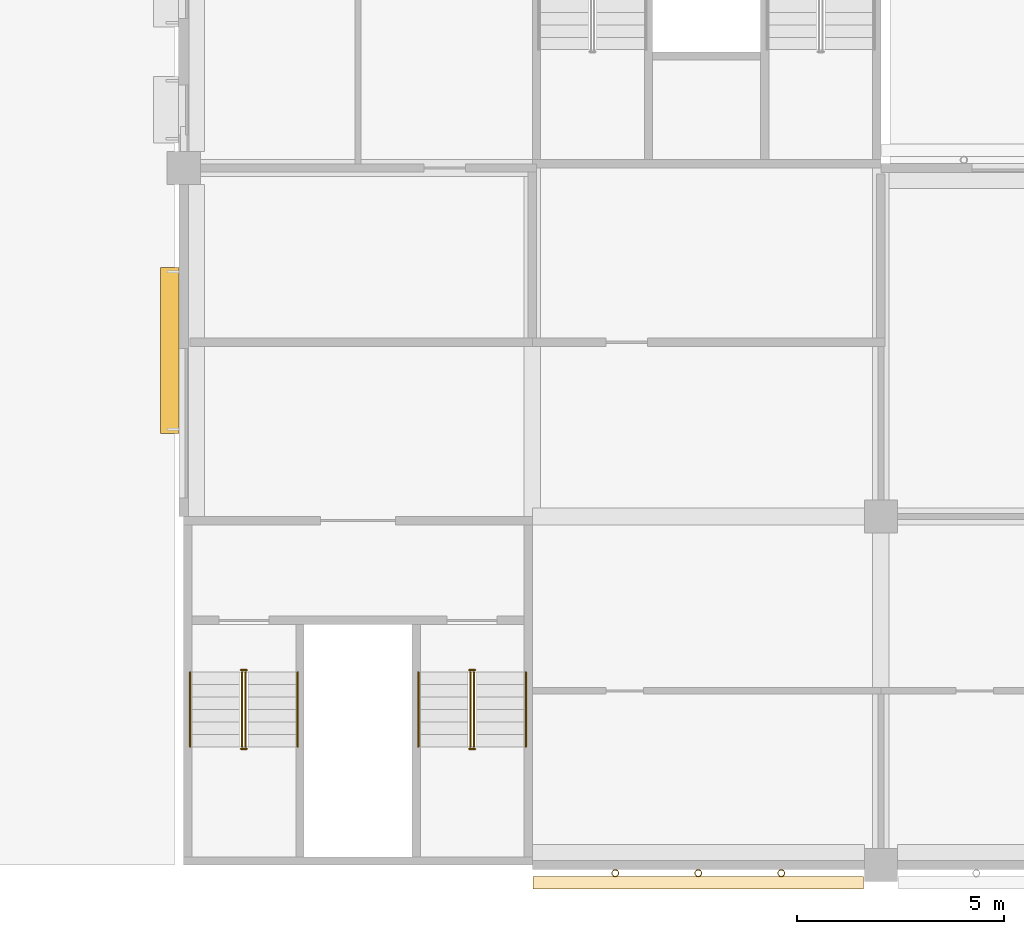
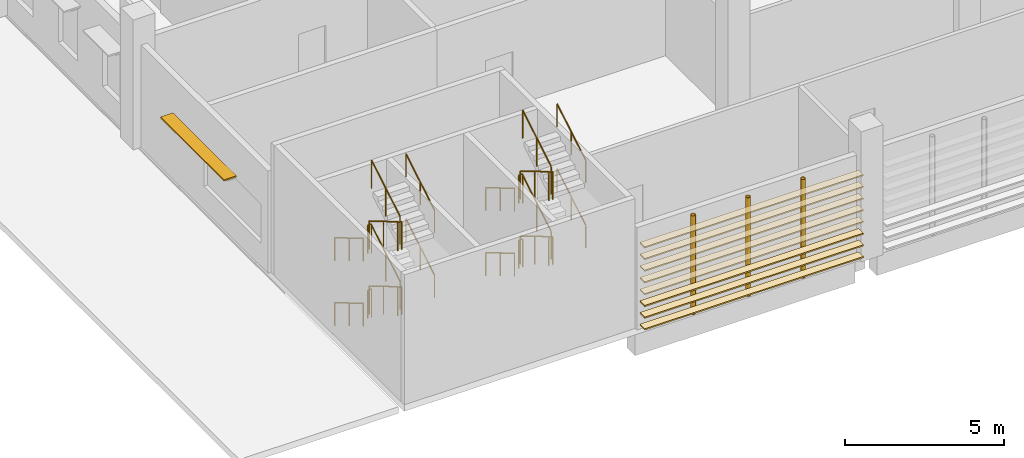
# One storey, part 59 of 101: 24 railings, 8 coverings, 4 shading devices.
"""IFC4 building model written with IfcOpenShell, lengths in metres."""

from ifc_helpers import new_model, si_unit, direction, frame, origin, origin_2d, place, context, subcontext, project, spatial, rectangle, circle, hollow_circle, extrude, material, material_profile, profile_set, type_object, element, save


model = new_model("IFC4")

# Units and contexts
model_context = context("Model", 3, precision=1e-05, world=origin(), true_north=direction((0.0, 1.0)))
body_context = subcontext(model_context, "Body", "Model", "MODEL_VIEW")
ifc_project = project(units=[si_unit("LENGTHUNIT", "METRE"), si_unit("AREAUNIT", "SQUARE_METRE"), si_unit("VOLUMEUNIT", "CUBIC_METRE"), si_unit("PLANEANGLEUNIT", "RADIAN"), si_unit("MASSUNIT", "GRAM", prefix="KILO")], contexts=[model_context])

# Site, building, storey
site_placement = place(None, origin())
site = spatial("IfcSite", under=ifc_project, at=site_placement, CompositionType="ELEMENT")
building_placement = place(site_placement, origin())
building = spatial("IfcBuilding", under=site, at=building_placement, Name="Almond Square Museum", CompositionType="ELEMENT")
storey_placement = place(building_placement, frame((0.0, 0.0, 5.5)))
storey = spatial("IfcBuildingStorey", under=building, at=storey_placement, Name="L01", CompositionType="ELEMENT", Elevation=5.5)

# Shading devices
ifc_material_1 = material(Name="Structural steel S355", Category="steel")
ifc_material_profile_1 = material_profile(ifc_material_1, hollow_circle(Radius=0.084228515625, WallThickness=0.008056640625, at=origin_2d()))
ifc_profile_set_1 = profile_set([ifc_material_profile_1], Name="Structural steel S355")
shading_device_type_1 = type_object("IfcShadingDeviceType", Name="Louvre post CHS 168.3 x 8", PredefinedType="USERDEFINED", material=ifc_profile_set_1)
for number, where, z_axis, x_axis, name in (
    (1, (16.39990234375, -0.194091796875, 0.0), (0.0, 0.0, 1.0), (1.0, 0.0, 0.0), "Louvre screen post"),
    (2, (18.39990234375, -0.194091796875, 0.0), (0.0, 0.0, 1.0), (1.0, 0.0, 0.0), "Louvre screen post"),
    (3, (20.39990234375, -0.194091796875, 0.0), (0.0, 0.0, 1.0), (1.0, 0.0, 0.0), "Louvre screen post"),
):
    element("IfcShadingDevice", number, at=place(storey_placement, frame(where, z_axis=z_axis, x_axis=x_axis)), inside=storey, type_object=shading_device_type_1, Name=name, ObjectType="POST", PredefinedType="USERDEFINED", context=body_context, shape_type="SweptSolid", body=[
        extrude(hollow_circle(Radius=0.084228515625, WallThickness=0.008056640625, at=origin_2d()), origin(), (0.0, 0.0, 1.0), 3.800048828125),
    ])

# Coverings
ifc_material_2 = material(Name="Cedar timber louvre board", Category="wood")
ifc_material_profile_2 = material_profile(ifc_material_2, rectangle(XDim=0.300048828125, YDim=0.050048828125, at=origin_2d()))
ifc_profile_set_2 = profile_set([ifc_material_profile_2], Name="Cedar timber louvre board")
covering_type = type_object("IfcCoveringType", Name="Louvre screen board 300 x 50", PredefinedType="CLADDING", material=ifc_profile_set_2)
for number, where, z_axis, x_axis, name in (
    (4, (14.419921875, -0.42431640625, 0.300048828125), (1.0, 0.0, 0.0), (0.0, 1.0, 0.0), "Louvre screen board"),
    (5, (14.419921875, -0.42431640625, 0.75), (1.0, 0.0, 0.0), (0.0, 1.0, 0.0), "Louvre screen board"),
    (6, (14.419921875, -0.42431640625, 1.199951171875), (1.0, 0.0, 0.0), (0.0, 1.0, 0.0), "Louvre screen board"),
    (7, (14.419921875, -0.42431640625, 1.64990234375), (1.0, 0.0, 0.0), (0.0, 1.0, 0.0), "Louvre screen board"),
    (8, (14.419921875, -0.42431640625, 2.10009765625), (1.0, 0.0, 0.0), (0.0, 1.0, 0.0), "Louvre screen board"),
    (9, (14.419921875, -0.42431640625, 2.550048828125), (1.0, 0.0, 0.0), (0.0, 1.0, 0.0), "Louvre screen board"),
    (10, (14.419921875, -0.42431640625, 3.0), (1.0, 0.0, 0.0), (0.0, 1.0, 0.0), "Louvre screen board"),
    (11, (14.419921875, -0.42431640625, 3.449951171875), (1.0, 0.0, 0.0), (0.0, 1.0, 0.0), "Louvre screen board"),
):
    element("IfcCovering", number, at=place(storey_placement, frame(where, z_axis=z_axis, x_axis=x_axis)), inside=storey, type_object=covering_type, Name=name, PredefinedType="CLADDING", context=body_context, shape_type="SweptSolid", body=[
        extrude(rectangle(XDim=0.300048828125, YDim=0.050048828125, at=origin_2d()), origin(), (0.0, 0.0, 1.0), 7.9599609375),
    ])

# Railings
ifc_material_3 = material(Name="Stainless steel and laminated glass", Category="steel")
railing_type_1 = type_object("IfcRailingType", Name="Stair guard 1100 steel and glass", PredefinedType="GUARDRAIL", material=ifc_material_3)
railing_1_placement = place(storey_placement, frame((7.409912109375, 4.64990234375, 0.178466796875)))
element("IfcRailing", 12, at=railing_1_placement, inside=storey, type_object=railing_type_1, Name="L01 ST-27 stair guard 1", PredefinedType="GUARDRAIL", context=body_context, shape_type="SweptSolid", body=[
    extrude(circle(Radius=0.02392578125, at=origin_2d()), frame((0.0, 0.0, 1.076171875), z_axis=(0.0, -0.85924653193, 0.511561723907), x_axis=(1.0, 0.0, 0.0)), (0.0, 0.0, 1.0), 2.0947265625),
    extrude(circle(Radius=0.02099609375, at=origin_2d()), origin(), (0.0, 0.0, 1.0), 1.052001953125),
    extrude(circle(Radius=0.02099609375, at=origin_2d()), frame((0.0, -0.89990234375, 0.53564453125)), (0.0, 0.0, 1.0), 1.052001953125),
    extrude(circle(Radius=0.02099609375, at=origin_2d()), frame((0.0, -1.7998046875, 1.071533203125)), (0.0, 0.0, 1.0), 1.052001953125),
])
railing_2_placement = place(storey_placement, frame((7.3798828125, 2.800048828125, 1.25)))
element("IfcRailing", 13, at=railing_2_placement, inside=storey, type_object=railing_type_1, Name="L01 ST-27 stair guard 2", PredefinedType="GUARDRAIL", context=body_context, shape_type="SweptSolid", body=[
    extrude(circle(Radius=0.02392578125, at=origin_2d()), frame((0.0, 0.0, 1.076171875), z_axis=(1.0, 0.0, 0.0), x_axis=(0.0, 1.0, 0.0)), (0.0, 0.0, 1.0), 0.14013671875),
    extrude(circle(Radius=0.02099609375, at=origin_2d()), origin(), (0.0, 0.0, 1.0), 1.052001953125),
    extrude(circle(Radius=0.02099609375, at=origin_2d()), frame((0.14013671875, 0.0, 0.0)), (0.0, 0.0, 1.0), 1.052001953125),
])
railing_3_placement = place(storey_placement, frame((7.489990234375, 2.85009765625, 1.428466796875)))
element("IfcRailing", 14, at=railing_3_placement, inside=storey, type_object=railing_type_1, Name="L01 ST-27 stair guard 3", PredefinedType="GUARDRAIL", context=body_context, shape_type="SweptSolid", body=[
    extrude(circle(Radius=0.02392578125, at=origin_2d()), frame((0.0, 0.0, 1.076171875), z_axis=(0.0, 0.85924653193, 0.511561723907), x_axis=(-1.0, 0.0, 0.0)), (0.0, 0.0, 1.0), 2.0947265625),
    extrude(circle(Radius=0.02099609375, at=origin_2d()), origin(), (0.0, 0.0, 1.0), 1.052001953125),
    extrude(circle(Radius=0.02099609375, at=origin_2d()), frame((0.0, 0.89990234375, 0.53564453125)), (0.0, 0.0, 1.0), 1.052001953125),
    extrude(circle(Radius=0.02099609375, at=origin_2d()), frame((0.0, 1.7998046875, 1.071533203125)), (0.0, 0.0, 1.0), 1.052001953125),
])
railing_4_placement = place(storey_placement, frame((7.3798828125, 4.699951171875, 2.5)))
element("IfcRailing", 15, at=railing_4_placement, inside=storey, type_object=railing_type_1, Name="L01 ST-27 stair guard 4", PredefinedType="GUARDRAIL", context=body_context, shape_type="SweptSolid", body=[
    extrude(circle(Radius=0.02392578125, at=origin_2d()), frame((0.0, 0.0, 1.076171875), z_axis=(1.0, 0.0, 0.0), x_axis=(0.0, 1.0, 0.0)), (0.0, 0.0, 1.0), 0.14013671875),
    extrude(circle(Radius=0.02099609375, at=origin_2d()), origin(), (0.0, 0.0, 1.0), 1.052001953125),
    extrude(circle(Radius=0.02099609375, at=origin_2d()), frame((0.14013671875, 0.0, 0.0)), (0.0, 0.0, 1.0), 1.052001953125),
])
railing_5_placement = place(storey_placement, frame((7.409912109375, 4.64990234375, 2.678466796875)))
element("IfcRailing", 16, at=railing_5_placement, inside=storey, type_object=railing_type_1, Name="L01 ST-27 stair guard 5", PredefinedType="GUARDRAIL", context=body_context, shape_type="SweptSolid", body=[
    extrude(circle(Radius=0.02392578125, at=origin_2d()), frame((0.0, 0.0, 1.076171875), z_axis=(0.0, -0.85924653193, 0.511561723907), x_axis=(1.0, 0.0, 0.0)), (0.0, 0.0, 1.0), 2.0947265625),
    extrude(circle(Radius=0.02099609375, at=origin_2d()), origin(), (0.0, 0.0, 1.0), 1.052001953125),
    extrude(circle(Radius=0.02099609375, at=origin_2d()), frame((0.0, -0.89990234375, 0.53564453125)), (0.0, 0.0, 1.0), 1.052001953125),
    extrude(circle(Radius=0.02099609375, at=origin_2d()), frame((0.0, -1.7998046875, 1.071533203125)), (0.0, 0.0, 1.0), 1.052001953125),
])
railing_6_placement = place(storey_placement, frame((7.3798828125, 2.800048828125, 3.75)))
element("IfcRailing", 17, at=railing_6_placement, inside=storey, type_object=railing_type_1, Name="L01 ST-27 stair guard 6", PredefinedType="GUARDRAIL", context=body_context, shape_type="SweptSolid", body=[
    extrude(circle(Radius=0.02392578125, at=origin_2d()), frame((0.0, 0.0, 1.076171875), z_axis=(1.0, 0.0, 0.0), x_axis=(0.0, 1.0, 0.0)), (0.0, 0.0, 1.0), 0.14013671875),
    extrude(circle(Radius=0.02099609375, at=origin_2d()), origin(), (0.0, 0.0, 1.0), 1.052001953125),
    extrude(circle(Radius=0.02099609375, at=origin_2d()), frame((0.14013671875, 0.0, 0.0)), (0.0, 0.0, 1.0), 1.052001953125),
])
railing_7_placement = place(storey_placement, frame((7.489990234375, 2.85009765625, 3.928466796875)))
element("IfcRailing", 18, at=railing_7_placement, inside=storey, type_object=railing_type_1, Name="L01 ST-27 stair guard 7", PredefinedType="GUARDRAIL", context=body_context, shape_type="SweptSolid", body=[
    extrude(circle(Radius=0.02392578125, at=origin_2d()), frame((0.0, 0.0, 1.076171875), z_axis=(0.0, 0.85924653193, 0.511561723907), x_axis=(-1.0, 0.0, 0.0)), (0.0, 0.0, 1.0), 2.0947265625),
    extrude(circle(Radius=0.02099609375, at=origin_2d()), origin(), (0.0, 0.0, 1.0), 1.052001953125),
    extrude(circle(Radius=0.02099609375, at=origin_2d()), frame((0.0, 0.89990234375, 0.53564453125)), (0.0, 0.0, 1.0), 1.052001953125),
    extrude(circle(Radius=0.02099609375, at=origin_2d()), frame((0.0, 1.7998046875, 1.071533203125)), (0.0, 0.0, 1.0), 1.052001953125),
])
railing_8_placement = place(storey_placement, frame((7.3798828125, 4.699951171875, 0.0)))
element("IfcRailing", 19, at=railing_8_placement, inside=storey, type_object=railing_type_1, Name="L01 ST-27 stair guard 8", PredefinedType="GUARDRAIL", context=body_context, shape_type="SweptSolid", body=[
    extrude(circle(Radius=0.02392578125, at=origin_2d()), frame((0.0, 0.0, 1.076171875), z_axis=(1.0, 0.0, 0.0), x_axis=(0.0, 1.0, 0.0)), (0.0, 0.0, 1.0), 0.14013671875),
    extrude(circle(Radius=0.02099609375, at=origin_2d()), origin(), (0.0, 0.0, 1.0), 1.052001953125),
    extrude(circle(Radius=0.02099609375, at=origin_2d()), frame((0.14013671875, 0.0, 0.0)), (0.0, 0.0, 1.0), 1.052001953125),
])
railing_9_placement = place(storey_placement, frame((12.909912109375, 4.64990234375, 0.178466796875)))
element("IfcRailing", 20, at=railing_9_placement, inside=storey, type_object=railing_type_1, Name="L01 ST-28 stair guard 1", PredefinedType="GUARDRAIL", context=body_context, shape_type="SweptSolid", body=[
    extrude(circle(Radius=0.02392578125, at=origin_2d()), frame((0.0, 0.0, 1.076171875), z_axis=(0.0, -0.85924653193, 0.511561723907), x_axis=(1.0, 0.0, 0.0)), (0.0, 0.0, 1.0), 2.0947265625),
    extrude(circle(Radius=0.02099609375, at=origin_2d()), origin(), (0.0, 0.0, 1.0), 1.052001953125),
    extrude(circle(Radius=0.02099609375, at=origin_2d()), frame((0.0, -0.89990234375, 0.53564453125)), (0.0, 0.0, 1.0), 1.052001953125),
    extrude(circle(Radius=0.02099609375, at=origin_2d()), frame((0.0, -1.7998046875, 1.071533203125)), (0.0, 0.0, 1.0), 1.052001953125),
])
railing_10_placement = place(storey_placement, frame((12.8798828125, 2.800048828125, 1.25)))
element("IfcRailing", 21, at=railing_10_placement, inside=storey, type_object=railing_type_1, Name="L01 ST-28 stair guard 2", PredefinedType="GUARDRAIL", context=body_context, shape_type="SweptSolid", body=[
    extrude(circle(Radius=0.02392578125, at=origin_2d()), frame((0.0, 0.0, 1.076171875), z_axis=(1.0, 0.0, 0.0), x_axis=(0.0, 1.0, 0.0)), (0.0, 0.0, 1.0), 0.14013671875),
    extrude(circle(Radius=0.02099609375, at=origin_2d()), origin(), (0.0, 0.0, 1.0), 1.052001953125),
    extrude(circle(Radius=0.02099609375, at=origin_2d()), frame((0.14013671875, 0.0, 0.0)), (0.0, 0.0, 1.0), 1.052001953125),
])
railing_11_placement = place(storey_placement, frame((12.989990234375, 2.85009765625, 1.428466796875)))
element("IfcRailing", 22, at=railing_11_placement, inside=storey, type_object=railing_type_1, Name="L01 ST-28 stair guard 3", PredefinedType="GUARDRAIL", context=body_context, shape_type="SweptSolid", body=[
    extrude(circle(Radius=0.02392578125, at=origin_2d()), frame((0.0, 0.0, 1.076171875), z_axis=(0.0, 0.85924653193, 0.511561723907), x_axis=(-1.0, 0.0, 0.0)), (0.0, 0.0, 1.0), 2.0947265625),
    extrude(circle(Radius=0.02099609375, at=origin_2d()), origin(), (0.0, 0.0, 1.0), 1.052001953125),
    extrude(circle(Radius=0.02099609375, at=origin_2d()), frame((0.0, 0.89990234375, 0.53564453125)), (0.0, 0.0, 1.0), 1.052001953125),
    extrude(circle(Radius=0.02099609375, at=origin_2d()), frame((0.0, 1.7998046875, 1.071533203125)), (0.0, 0.0, 1.0), 1.052001953125),
])
railing_12_placement = place(storey_placement, frame((12.8798828125, 4.699951171875, 2.5)))
element("IfcRailing", 23, at=railing_12_placement, inside=storey, type_object=railing_type_1, Name="L01 ST-28 stair guard 4", PredefinedType="GUARDRAIL", context=body_context, shape_type="SweptSolid", body=[
    extrude(circle(Radius=0.02392578125, at=origin_2d()), frame((0.0, 0.0, 1.076171875), z_axis=(1.0, 0.0, 0.0), x_axis=(0.0, 1.0, 0.0)), (0.0, 0.0, 1.0), 0.14013671875),
    extrude(circle(Radius=0.02099609375, at=origin_2d()), origin(), (0.0, 0.0, 1.0), 1.052001953125),
    extrude(circle(Radius=0.02099609375, at=origin_2d()), frame((0.14013671875, 0.0, 0.0)), (0.0, 0.0, 1.0), 1.052001953125),
])
railing_13_placement = place(storey_placement, frame((12.909912109375, 4.64990234375, 2.678466796875)))
element("IfcRailing", 24, at=railing_13_placement, inside=storey, type_object=railing_type_1, Name="L01 ST-28 stair guard 5", PredefinedType="GUARDRAIL", context=body_context, shape_type="SweptSolid", body=[
    extrude(circle(Radius=0.02392578125, at=origin_2d()), frame((0.0, 0.0, 1.076171875), z_axis=(0.0, -0.85924653193, 0.511561723907), x_axis=(1.0, 0.0, 0.0)), (0.0, 0.0, 1.0), 2.0947265625),
    extrude(circle(Radius=0.02099609375, at=origin_2d()), origin(), (0.0, 0.0, 1.0), 1.052001953125),
    extrude(circle(Radius=0.02099609375, at=origin_2d()), frame((0.0, -0.89990234375, 0.53564453125)), (0.0, 0.0, 1.0), 1.052001953125),
    extrude(circle(Radius=0.02099609375, at=origin_2d()), frame((0.0, -1.7998046875, 1.071533203125)), (0.0, 0.0, 1.0), 1.052001953125),
])
railing_14_placement = place(storey_placement, frame((12.8798828125, 2.800048828125, 3.75)))
element("IfcRailing", 25, at=railing_14_placement, inside=storey, type_object=railing_type_1, Name="L01 ST-28 stair guard 6", PredefinedType="GUARDRAIL", context=body_context, shape_type="SweptSolid", body=[
    extrude(circle(Radius=0.02392578125, at=origin_2d()), frame((0.0, 0.0, 1.076171875), z_axis=(1.0, 0.0, 0.0), x_axis=(0.0, 1.0, 0.0)), (0.0, 0.0, 1.0), 0.14013671875),
    extrude(circle(Radius=0.02099609375, at=origin_2d()), origin(), (0.0, 0.0, 1.0), 1.052001953125),
    extrude(circle(Radius=0.02099609375, at=origin_2d()), frame((0.14013671875, 0.0, 0.0)), (0.0, 0.0, 1.0), 1.052001953125),
])
railing_15_placement = place(storey_placement, frame((12.989990234375, 2.85009765625, 3.928466796875)))
element("IfcRailing", 26, at=railing_15_placement, inside=storey, type_object=railing_type_1, Name="L01 ST-28 stair guard 7", PredefinedType="GUARDRAIL", context=body_context, shape_type="SweptSolid", body=[
    extrude(circle(Radius=0.02392578125, at=origin_2d()), frame((0.0, 0.0, 1.076171875), z_axis=(0.0, 0.85924653193, 0.511561723907), x_axis=(-1.0, 0.0, 0.0)), (0.0, 0.0, 1.0), 2.0947265625),
    extrude(circle(Radius=0.02099609375, at=origin_2d()), origin(), (0.0, 0.0, 1.0), 1.052001953125),
    extrude(circle(Radius=0.02099609375, at=origin_2d()), frame((0.0, 0.89990234375, 0.53564453125)), (0.0, 0.0, 1.0), 1.052001953125),
    extrude(circle(Radius=0.02099609375, at=origin_2d()), frame((0.0, 1.7998046875, 1.071533203125)), (0.0, 0.0, 1.0), 1.052001953125),
])
railing_16_placement = place(storey_placement, frame((12.8798828125, 4.699951171875, 0.0)))
element("IfcRailing", 27, at=railing_16_placement, inside=storey, type_object=railing_type_1, Name="L01 ST-28 stair guard 8", PredefinedType="GUARDRAIL", context=body_context, shape_type="SweptSolid", body=[
    extrude(circle(Radius=0.02392578125, at=origin_2d()), frame((0.0, 0.0, 1.076171875), z_axis=(1.0, 0.0, 0.0), x_axis=(0.0, 1.0, 0.0)), (0.0, 0.0, 1.0), 0.14013671875),
    extrude(circle(Radius=0.02099609375, at=origin_2d()), origin(), (0.0, 0.0, 1.0), 1.052001953125),
    extrude(circle(Radius=0.02099609375, at=origin_2d()), frame((0.14013671875, 0.0, 0.0)), (0.0, 0.0, 1.0), 1.052001953125),
])
ifc_material_4 = material(Name="Stainless steel", Category="steel")
railing_type_2 = type_object("IfcRailingType", Name="Stair handrail 900 steel", PredefinedType="HANDRAIL", material=ifc_material_4)
railing_17_placement = place(storey_placement, frame((6.155029296875, 4.64990234375, 0.178466796875)))
element("IfcRailing", 28, at=railing_17_placement, inside=storey, type_object=railing_type_2, Name="L01 ST-27 stair handrail 1", PredefinedType="HANDRAIL", context=body_context, shape_type="SweptSolid", body=[
    extrude(circle(Radius=0.02392578125, at=origin_2d()), frame((0.0, 0.0, 0.8759765625), z_axis=(0.0, -0.85924653193, 0.511561723907), x_axis=(1.0, 0.0, 0.0)), (0.0, 0.0, 1.0), 2.0947265625),
    extrude(circle(Radius=0.02099609375, at=origin_2d()), origin(), (0.0, 0.0, 1.0), 0.851806640625),
    extrude(circle(Radius=0.02099609375, at=origin_2d()), frame((0.0, -0.89990234375, 0.53564453125)), (0.0, 0.0, 1.0), 0.851806640625),
    extrude(circle(Radius=0.02099609375, at=origin_2d()), frame((0.0, -1.7998046875, 1.071533203125)), (0.0, 0.0, 1.0), 0.851806640625),
])
railing_18_placement = place(storey_placement, frame((8.7451171875, 2.85009765625, 1.428466796875)))
element("IfcRailing", 29, at=railing_18_placement, inside=storey, type_object=railing_type_2, Name="L01 ST-27 stair handrail 2", PredefinedType="HANDRAIL", context=body_context, shape_type="SweptSolid", body=[
    extrude(circle(Radius=0.02392578125, at=origin_2d()), frame((0.0, 0.0, 0.8759765625), z_axis=(0.0, 0.85924653193, 0.511561723907), x_axis=(-1.0, 0.0, 0.0)), (0.0, 0.0, 1.0), 2.0947265625),
    extrude(circle(Radius=0.02099609375, at=origin_2d()), origin(), (0.0, 0.0, 1.0), 0.851806640625),
    extrude(circle(Radius=0.02099609375, at=origin_2d()), frame((0.0, 0.89990234375, 0.53564453125)), (0.0, 0.0, 1.0), 0.851806640625),
    extrude(circle(Radius=0.02099609375, at=origin_2d()), frame((0.0, 1.7998046875, 1.071533203125)), (0.0, 0.0, 1.0), 0.851806640625),
])
railing_19_placement = place(storey_placement, frame((6.155029296875, 4.64990234375, 2.678466796875)))
element("IfcRailing", 30, at=railing_19_placement, inside=storey, type_object=railing_type_2, Name="L01 ST-27 stair handrail 3", PredefinedType="HANDRAIL", context=body_context, shape_type="SweptSolid", body=[
    extrude(circle(Radius=0.02392578125, at=origin_2d()), frame((0.0, 0.0, 0.8759765625), z_axis=(0.0, -0.85924653193, 0.511561723907), x_axis=(1.0, 0.0, 0.0)), (0.0, 0.0, 1.0), 2.0947265625),
    extrude(circle(Radius=0.02099609375, at=origin_2d()), origin(), (0.0, 0.0, 1.0), 0.851806640625),
    extrude(circle(Radius=0.02099609375, at=origin_2d()), frame((0.0, -0.89990234375, 0.53564453125)), (0.0, 0.0, 1.0), 0.851806640625),
    extrude(circle(Radius=0.02099609375, at=origin_2d()), frame((0.0, -1.7998046875, 1.071533203125)), (0.0, 0.0, 1.0), 0.851806640625),
])
railing_20_placement = place(storey_placement, frame((8.7451171875, 2.85009765625, 3.928466796875)))
element("IfcRailing", 31, at=railing_20_placement, inside=storey, type_object=railing_type_2, Name="L01 ST-27 stair handrail 4", PredefinedType="HANDRAIL", context=body_context, shape_type="SweptSolid", body=[
    extrude(circle(Radius=0.02392578125, at=origin_2d()), frame((0.0, 0.0, 0.8759765625), z_axis=(0.0, 0.85924653193, 0.511561723907), x_axis=(-1.0, 0.0, 0.0)), (0.0, 0.0, 1.0), 2.0947265625),
    extrude(circle(Radius=0.02099609375, at=origin_2d()), origin(), (0.0, 0.0, 1.0), 0.851806640625),
    extrude(circle(Radius=0.02099609375, at=origin_2d()), frame((0.0, 0.89990234375, 0.53564453125)), (0.0, 0.0, 1.0), 0.851806640625),
    extrude(circle(Radius=0.02099609375, at=origin_2d()), frame((0.0, 1.7998046875, 1.071533203125)), (0.0, 0.0, 1.0), 0.851806640625),
])
railing_21_placement = place(storey_placement, frame((11.655029296875, 4.64990234375, 0.178466796875)))
element("IfcRailing", 32, at=railing_21_placement, inside=storey, type_object=railing_type_2, Name="L01 ST-28 stair handrail 1", PredefinedType="HANDRAIL", context=body_context, shape_type="SweptSolid", body=[
    extrude(circle(Radius=0.02392578125, at=origin_2d()), frame((0.0, 0.0, 0.8759765625), z_axis=(0.0, -0.85924653193, 0.511561723907), x_axis=(1.0, 0.0, 0.0)), (0.0, 0.0, 1.0), 2.0947265625),
    extrude(circle(Radius=0.02099609375, at=origin_2d()), origin(), (0.0, 0.0, 1.0), 0.851806640625),
    extrude(circle(Radius=0.02099609375, at=origin_2d()), frame((0.0, -0.89990234375, 0.53564453125)), (0.0, 0.0, 1.0), 0.851806640625),
    extrude(circle(Radius=0.02099609375, at=origin_2d()), frame((0.0, -1.7998046875, 1.071533203125)), (0.0, 0.0, 1.0), 0.851806640625),
])
railing_22_placement = place(storey_placement, frame((14.2451171875, 2.85009765625, 1.428466796875)))
element("IfcRailing", 33, at=railing_22_placement, inside=storey, type_object=railing_type_2, Name="L01 ST-28 stair handrail 2", PredefinedType="HANDRAIL", context=body_context, shape_type="SweptSolid", body=[
    extrude(circle(Radius=0.02392578125, at=origin_2d()), frame((0.0, 0.0, 0.8759765625), z_axis=(0.0, 0.85924653193, 0.511561723907), x_axis=(-1.0, 0.0, 0.0)), (0.0, 0.0, 1.0), 2.0947265625),
    extrude(circle(Radius=0.02099609375, at=origin_2d()), origin(), (0.0, 0.0, 1.0), 0.851806640625),
    extrude(circle(Radius=0.02099609375, at=origin_2d()), frame((0.0, 0.89990234375, 0.53564453125)), (0.0, 0.0, 1.0), 0.851806640625),
    extrude(circle(Radius=0.02099609375, at=origin_2d()), frame((0.0, 1.7998046875, 1.071533203125)), (0.0, 0.0, 1.0), 0.851806640625),
])
railing_23_placement = place(storey_placement, frame((11.655029296875, 4.64990234375, 2.678466796875)))
element("IfcRailing", 34, at=railing_23_placement, inside=storey, type_object=railing_type_2, Name="L01 ST-28 stair handrail 3", PredefinedType="HANDRAIL", context=body_context, shape_type="SweptSolid", body=[
    extrude(circle(Radius=0.02392578125, at=origin_2d()), frame((0.0, 0.0, 0.8759765625), z_axis=(0.0, -0.85924653193, 0.511561723907), x_axis=(1.0, 0.0, 0.0)), (0.0, 0.0, 1.0), 2.0947265625),
    extrude(circle(Radius=0.02099609375, at=origin_2d()), origin(), (0.0, 0.0, 1.0), 0.851806640625),
    extrude(circle(Radius=0.02099609375, at=origin_2d()), frame((0.0, -0.89990234375, 0.53564453125)), (0.0, 0.0, 1.0), 0.851806640625),
    extrude(circle(Radius=0.02099609375, at=origin_2d()), frame((0.0, -1.7998046875, 1.071533203125)), (0.0, 0.0, 1.0), 0.851806640625),
])
railing_24_placement = place(storey_placement, frame((14.2451171875, 2.85009765625, 3.928466796875)))
element("IfcRailing", 35, at=railing_24_placement, inside=storey, type_object=railing_type_2, Name="L01 ST-28 stair handrail 4", PredefinedType="HANDRAIL", context=body_context, shape_type="SweptSolid", body=[
    extrude(circle(Radius=0.02392578125, at=origin_2d()), frame((0.0, 0.0, 0.8759765625), z_axis=(0.0, 0.85924653193, 0.511561723907), x_axis=(-1.0, 0.0, 0.0)), (0.0, 0.0, 1.0), 2.0947265625),
    extrude(circle(Radius=0.02099609375, at=origin_2d()), origin(), (0.0, 0.0, 1.0), 0.851806640625),
    extrude(circle(Radius=0.02099609375, at=origin_2d()), frame((0.0, 0.89990234375, 0.53564453125)), (0.0, 0.0, 1.0), 0.851806640625),
    extrude(circle(Radius=0.02099609375, at=origin_2d()), frame((0.0, 1.7998046875, 1.071533203125)), (0.0, 0.0, 1.0), 0.851806640625),
])

# Shading device
ifc_material_5 = material(Name="Anodised aluminium", Category="aluminium")
ifc_material_profile_3 = material_profile(ifc_material_5, rectangle(XDim=0.449951171875, YDim=0.050048828125, at=origin_2d()))
ifc_profile_set_3 = profile_set([ifc_material_profile_3], Name="Anodised aluminium")
shading_device_type_2 = type_object("IfcShadingDeviceType", Name="Sun-shade blade 450 x 50", PredefinedType="USERDEFINED", material=ifc_profile_set_3)
shading_device_placement = place(storey_placement, frame((5.6669921875, 10.39990234375, 2.52001953125), z_axis=(0.0, 1.0, 0.0), x_axis=(-1.0, 0.0, 0.0)))
element("IfcShadingDevice", 36, at=shading_device_placement, inside=storey, type_object=shading_device_type_2, Name="Sun-shade blade", ObjectType="LOUVRE", PredefinedType="USERDEFINED", context=body_context, shape_type="SweptSolid", body=[
    extrude(rectangle(XDim=0.449951171875, YDim=0.050048828125, at=origin_2d()), origin(), (0.0, 0.0, 1.0), 4.0),
])

save(model, "model.ifc")
